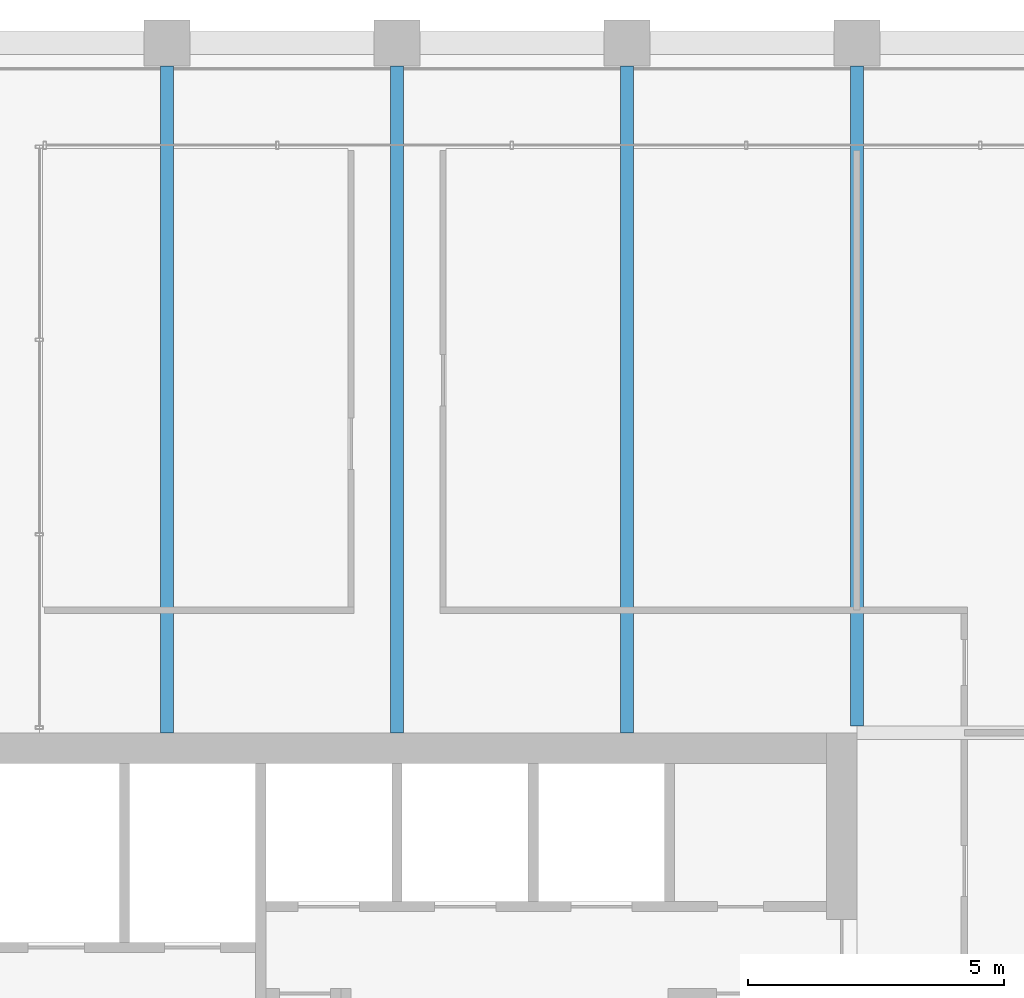
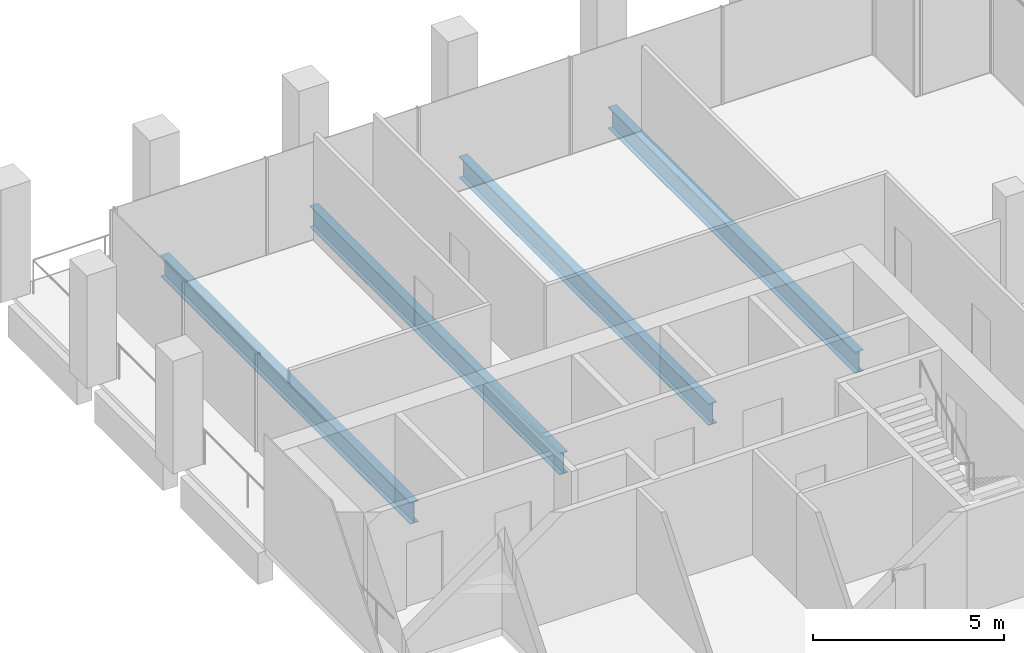
# One storey, part 22 of 40: 4 beams.
"""IFC4 building model written with IfcOpenShell, lengths in metres."""

from ifc_helpers import new_model, si_unit, direction, frame, origin, origin_2d, place, context, subcontext, project, spatial, i_section, extrude, material, material_profile, profile_set, type_object, element, save


model = new_model("IFC4")

# Units and contexts
model_context = context("Model", 3, precision=1e-05, world=origin(), true_north=direction((0.0, 1.0)))
body_context = subcontext(model_context, "Body", "Model", "MODEL_VIEW")
ifc_project = project(units=[si_unit("LENGTHUNIT", "METRE"), si_unit("AREAUNIT", "SQUARE_METRE"), si_unit("VOLUMEUNIT", "CUBIC_METRE"), si_unit("PLANEANGLEUNIT", "RADIAN"), si_unit("MASSUNIT", "GRAM", prefix="KILO")], contexts=[model_context])

# Site, building, storey
site_placement = place(None, origin())
site = spatial("IfcSite", under=ifc_project, at=site_placement, CompositionType="ELEMENT")
building_placement = place(site_placement, origin())
building = spatial("IfcBuilding", under=site, at=building_placement, Name="Altepetl Exchange Towers", CompositionType="ELEMENT")
storey_placement = place(building_placement, frame((0.0, 0.0, 147.39990234375)))
storey = spatial("IfcBuildingStorey", under=building, at=storey_placement, Name="L36", CompositionType="ELEMENT", Elevation=147.39990234375)

# Beams
ifc_material = material(Name="Steel S355", Category="steel")
ifc_material_profile = material_profile(ifc_material, i_section(OverallWidth=0.25390625, OverallDepth=0.68408203125, WebThickness=0.012451171875, FlangeThickness=0.018798828125, at=origin_2d()), Name="W27X94")
ifc_profile_set = profile_set([ifc_material_profile], Name="Steel S355")
beam_type = type_object("IfcBeamType", Name="Floor beam W27X94", PredefinedType="BEAM", material=ifc_profile_set)
for number, where, z_axis, x_axis, name in (
    (1, (45.0, 58.5, -0.491943359375), (0.0, 1.0, 0.0), (-1.0, 0.0, 0.0), "bm:A:L36:000"),
    (2, (49.5, 58.5, -0.491943359375), (0.0, 1.0, 0.0), (-1.0, 0.0, 0.0), "bm:A:L36:001"),
    (3, (54.0, 58.5, -0.491943359375), (0.0, 1.0, 0.0), (-1.0, 0.0, 0.0), "bm:A:L36:002"),
):
    element("IfcBeam", number, at=place(storey_placement, frame(where, z_axis=z_axis, x_axis=x_axis)), inside=storey, type_object=beam_type, Name=name, PredefinedType="BEAM", context=body_context, shape_type="SweptSolid", body=[
        extrude(i_section(OverallWidth=0.25390625, OverallDepth=0.68408203125, WebThickness=0.012451171875, FlangeThickness=0.018798828125, at=origin_2d()), origin(), (0.0, 0.0, 1.0), 13.050048828125),
    ])
beam_placement = place(storey_placement, frame((58.5, 58.634033203125, -0.491943359375), z_axis=(0.0, 1.0, 0.0), x_axis=(-1.0, 0.0, 0.0)))
element("IfcBeam", 4, at=beam_placement, inside=storey, type_object=beam_type, Name="bm:A:L36:003", PredefinedType="BEAM", context=body_context, shape_type="SweptSolid", body=[
    extrude(i_section(OverallWidth=0.25390625, OverallDepth=0.68408203125, WebThickness=0.012451171875, FlangeThickness=0.018798828125, at=origin_2d()), origin(), (0.0, 0.0, 1.0), 12.916015625),
])

save(model, "model.ifc")
